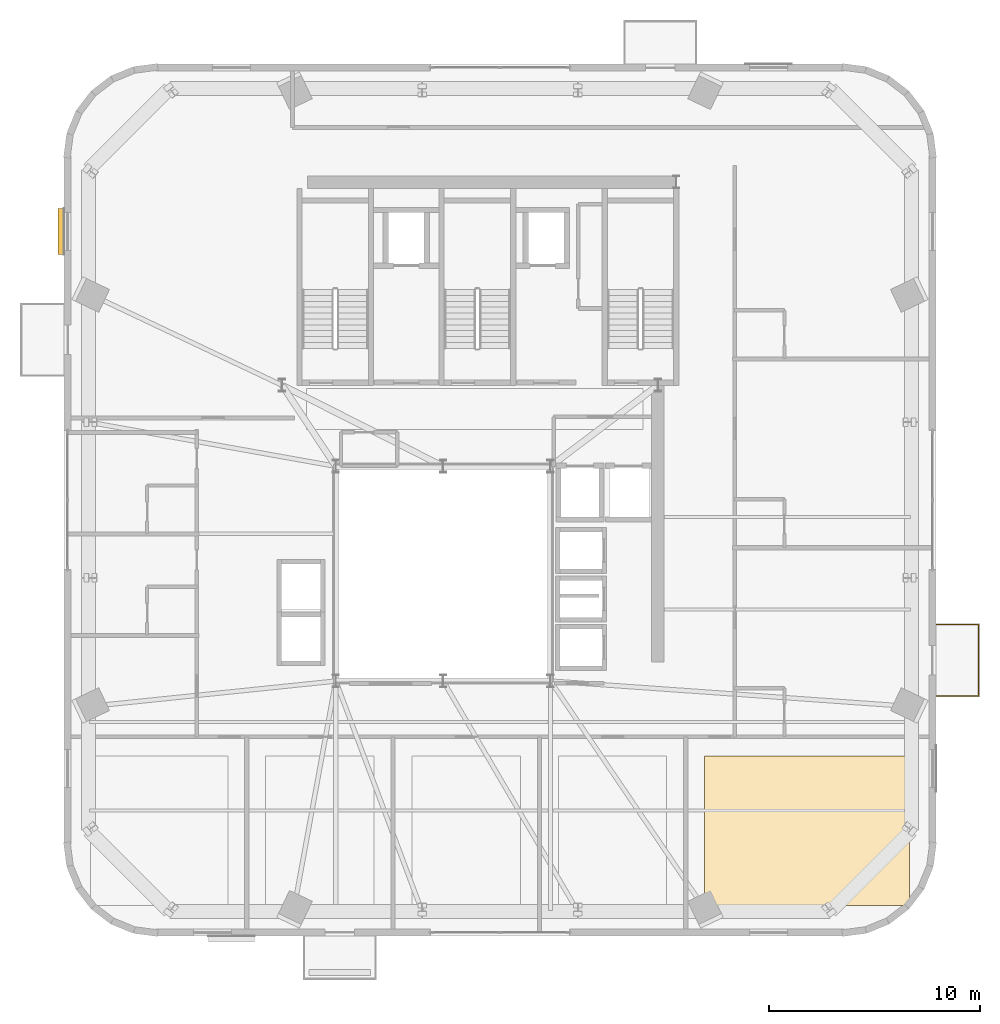
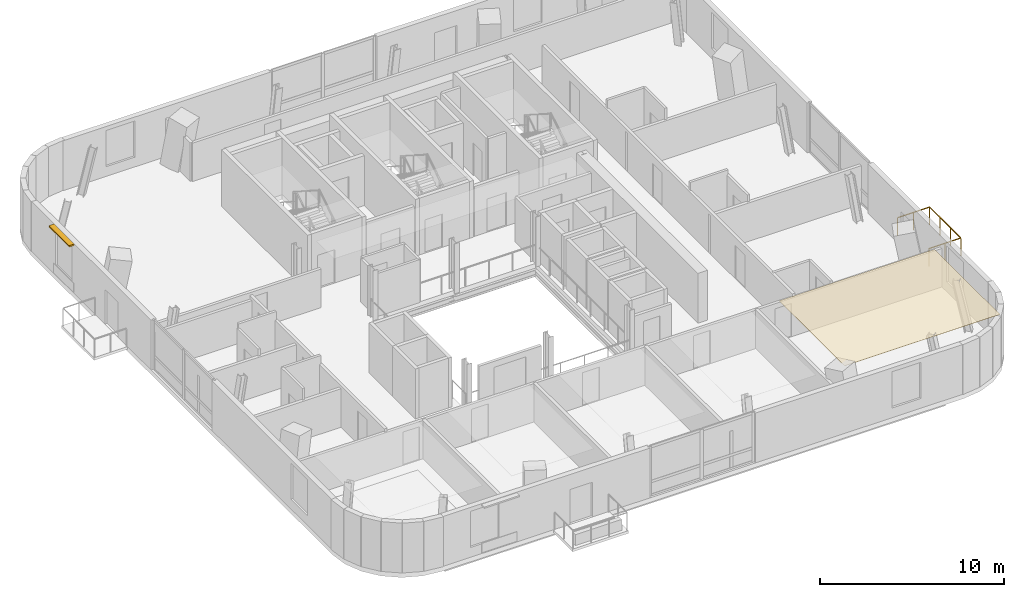
# One storey, part 12 of 13: 1 covering, 1 railing, 1 shading device.
"""IFC4 building model written with IfcOpenShell, lengths in metres."""

from ifc_helpers import new_model, si_unit, direction, frame, origin, origin_2d, place, context, subcontext, project, spatial, polyline, rectangle, outline, extrude, source, transform, mapped, material, layer, layer_set, type_object, element, save


model = new_model("IFC4")

# Units and contexts
model_context = context("Model", 3, precision=1e-05, world=origin(), true_north=direction((0.0, 1.0)))
body_context = subcontext(model_context, "Body", "Model", "MODEL_VIEW")
ifc_project = project(units=[si_unit("LENGTHUNIT", "METRE"), si_unit("AREAUNIT", "SQUARE_METRE"), si_unit("VOLUMEUNIT", "CUBIC_METRE"), si_unit("PLANEANGLEUNIT", "RADIAN"), si_unit("MASSUNIT", "GRAM", prefix="KILO")], contexts=[model_context])

# Site, building, storey
site_placement = place(None, origin())
site = spatial("IfcSite", under=ifc_project, at=site_placement, CompositionType="ELEMENT")
building_placement = place(site_placement, origin())
building = spatial("IfcBuilding", under=site, at=building_placement, Name="Vardaveli Station Tower", CompositionType="ELEMENT")
storey_placement = place(building_placement, frame((0.0, 0.0, 274.300048828125)))
storey = spatial("IfcBuildingStorey", under=building, at=storey_placement, Name="L70", CompositionType="ELEMENT", Elevation=274.300048828125)

# Covering
ifc_material_1 = material(Name="Perforated acoustic mineral ceiling")
ifc_layer_1 = layer(ifc_material_1, 0.02001953125, Name="Perforated acoustic mineral ceiling")
ifc_layer_set_1 = layer_set([ifc_layer_1], Name="Perforated acoustic mineral ceiling")
covering_type = type_object("IfcCoveringType", Name="COV-CEIL-AC20", PredefinedType="CEILING", material=ifc_layer_set_1)
covering_placement = place(storey_placement, frame((0.0, 0.0, 3.284912109375)))
element("IfcCovering", 1, at=covering_placement, inside=storey, type_object=covering_type, Name="CEIL-L70-5", PredefinedType="CEILING", context=body_context, shape_type="SweptSolid", body=[
    extrude(outline(polyline([(48.719970703125, 5.949951171875), (58.449951171875, 5.949951171875), (58.449951171875, 13.050048828125), (48.719970703125, 13.050048828125), (48.719970703125, 5.949951171875)])), origin(), (0.0, 0.0, 1.0), 0.02001953125),
])

# Shading device
ifc_material_2 = material(Name="Anodised champagne aluminium sunshade", Category="aluminium")
ifc_layer_2 = layer(ifc_material_2, 0.090087890625, Name="Anodised champagne aluminium sunshade")
ifc_layer_set_2 = layer_set([ifc_layer_2], Name="Anodised champagne aluminium sunshade")
shading_device_type = type_object("IfcShadingDeviceType", Name="SHD-SUNSHADE", PredefinedType="USERDEFINED", material=ifc_layer_set_2)
shared_shape_1 = source(origin(), body_context, "Body", "SweptSolid", [
    extrude(rectangle(XDim=2.199951171875, YDim=0.320068359375, at=origin_2d()), origin(), (0.0, 0.0, 1.0), 0.090087890625),
])
shading_device_placement = place(storey_placement, frame((18.155029296875, 37.95751953125, 3.1796875), z_axis=(0.0, 0.0, 1.0), x_axis=(0.0, 1.0, 0.0)))
element("IfcShadingDevice", 2, at=shading_device_placement, inside=storey, type_object=shading_device_type, Name="SHD-SS-L70-W", ObjectType="SUNSHADE", PredefinedType="USERDEFINED", context=body_context, shape_type="MappedRepresentation", body=[
    mapped(shared_shape_1, transform((0.0, 0.0, 0.0), scale=1.0)),
])

# Railing
ifc_material_3 = material(Name="Laminated glass and stainless steel balustrade", Category="steel")
railing_type = type_object("IfcRailingType", Name="RL-BAL-1200", PredefinedType="BALUSTRADE", material=ifc_material_3)
shared_shape_2 = source(origin(), body_context, "Body", "SweptSolid", [
    extrude(rectangle(XDim=0.048095703125, YDim=0.048095703125, at=origin_2d()), frame((0.0, 0.0, 1.17578125), z_axis=(1.0, 0.0, 0.0), x_axis=(0.0, 1.0, 0.0)), (0.0, 0.0, 1.0), 2.0),
    extrude(rectangle(XDim=0.048095703125, YDim=0.048095703125, at=origin_2d()), frame((2.0, 0.0, 1.17578125), z_axis=(0.0, 1.0, 0.0), x_axis=(-1.0, 0.0, 0.0)), (0.0, 0.0, 1.0), 3.3798828125),
    extrude(rectangle(XDim=0.048095703125, YDim=0.048095703125, at=origin_2d()), frame((2.0, 3.3798828125, 1.17578125), z_axis=(-1.0, 0.0, 0.0), x_axis=(0.0, -1.0, 0.0)), (0.0, 0.0, 1.0), 2.0),
    extrude(rectangle(XDim=0.0419921875, YDim=0.0419921875, at=origin_2d()), origin(), (0.0, 0.0, 1.0), 1.15185546875),
    extrude(rectangle(XDim=0.0419921875, YDim=0.0419921875, at=origin_2d()), frame((1.0, 0.0, 0.0)), (0.0, 0.0, 1.0), 1.15185546875),
    extrude(rectangle(XDim=0.0419921875, YDim=0.0419921875, at=origin_2d()), frame((2.0, 0.0, 0.0)), (0.0, 0.0, 1.0), 1.15185546875),
    extrude(rectangle(XDim=0.0419921875, YDim=0.0419921875, at=origin_2d()), frame((2.0, 1.126708984375, 0.0)), (0.0, 0.0, 1.0), 1.15185546875),
    extrude(rectangle(XDim=0.0419921875, YDim=0.0419921875, at=origin_2d()), frame((2.0, 2.253173828125, 0.0)), (0.0, 0.0, 1.0), 1.15185546875),
    extrude(rectangle(XDim=0.0419921875, YDim=0.0419921875, at=origin_2d()), frame((2.0, 3.3798828125, 0.0)), (0.0, 0.0, 1.0), 1.15185546875),
    extrude(rectangle(XDim=0.0419921875, YDim=0.0419921875, at=origin_2d()), frame((1.0, 3.3798828125, 0.0)), (0.0, 0.0, 1.0), 1.15185546875),
    extrude(rectangle(XDim=0.0419921875, YDim=0.0419921875, at=origin_2d()), frame((0.0, 3.3798828125, 0.0)), (0.0, 0.0, 1.0), 1.15185546875),
])
railing_placement = place(storey_placement, frame((59.739990234375, 15.8984375, 0.0)))
element("IfcRailing", 3, at=railing_placement, inside=storey, type_object=railing_type, Name="RL-LOG-L70-04", PredefinedType="BALUSTRADE", context=body_context, shape_type="MappedRepresentation", body=[
    mapped(shared_shape_2, transform((0.0, 0.0, 0.0), scale=1.0)),
])

save(model, "model.ifc")
